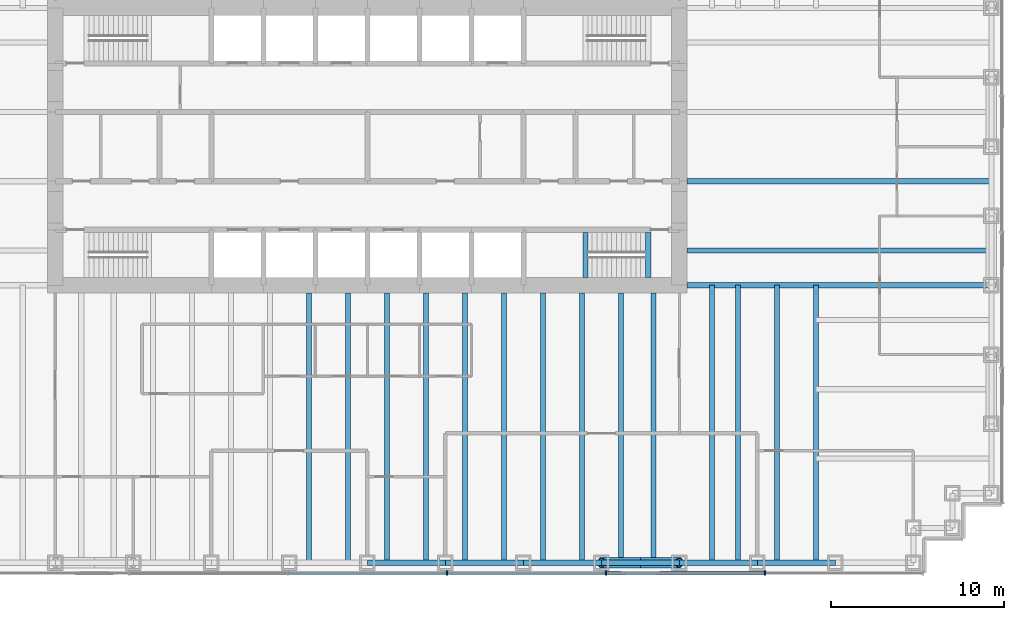
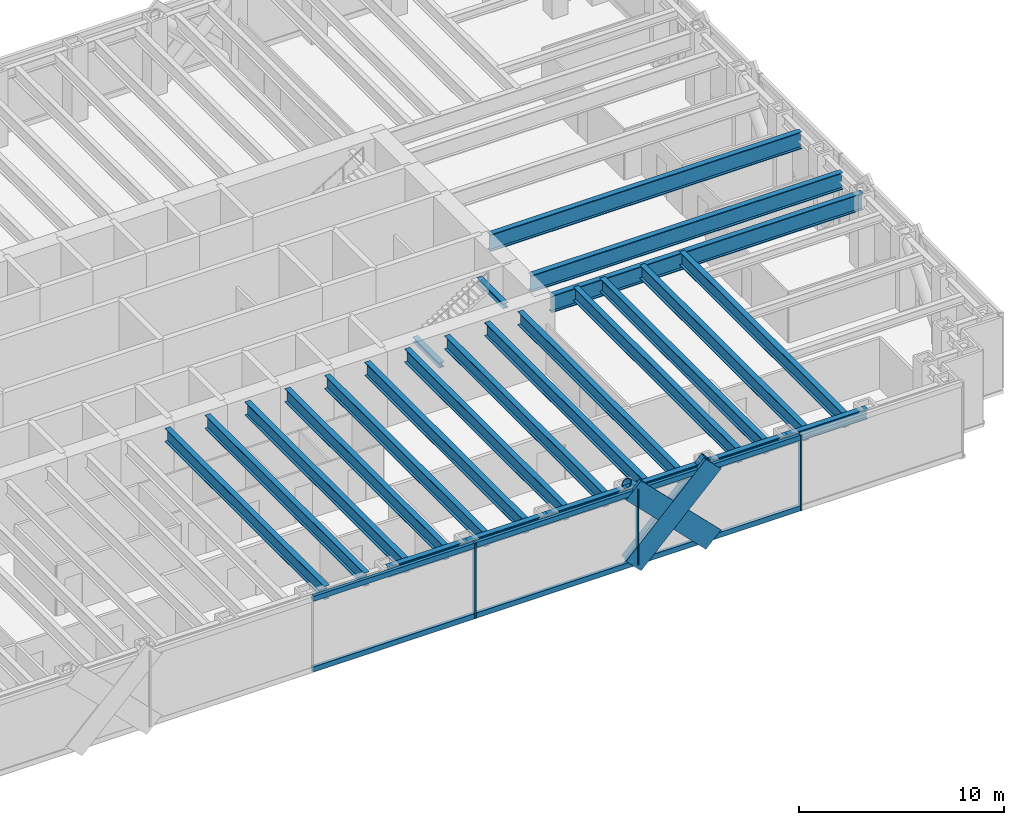
# One storey, part 3 of 13: 25 beams, 13 members, 1 element without a shape of its own.
"""IFC4 building model written with IfcOpenShell, lengths in metres."""

from ifc_helpers import new_model, si_unit, direction, frame, origin, origin_2d, place, context, subcontext, project, spatial, rectangle, hollow_circle, i_section, extrude, material, material_profile, profile_set, type_object, element, aggregate, save


model = new_model("IFC4")

# Units and contexts
model_context = context("Model", 3, precision=1e-05, world=origin(), true_north=direction((0.0, 1.0)))
body_context = subcontext(model_context, "Body", "Model", "MODEL_VIEW")
ifc_project = project(units=[si_unit("LENGTHUNIT", "METRE"), si_unit("AREAUNIT", "SQUARE_METRE"), si_unit("VOLUMEUNIT", "CUBIC_METRE"), si_unit("PLANEANGLEUNIT", "RADIAN"), si_unit("MASSUNIT", "GRAM", prefix="KILO")], contexts=[model_context])

# Site, building, storey
site_placement = place(None, origin())
site = spatial("IfcSite", under=ifc_project, at=site_placement, CompositionType="ELEMENT")
building_placement = place(site_placement, origin())
building = spatial("IfcBuilding", under=site, at=building_placement, Name="Rheinbord Bourse Tower", CompositionType="ELEMENT")
storey_placement = place(building_placement, frame((0.0, 0.0, 45.5)))
storey = spatial("IfcBuildingStorey", under=building, at=storey_placement, Name="L09", CompositionType="ELEMENT", Elevation=45.5)

# Curtain wall, members
ifc_material_1 = material(Name="Dark glass and black aluminium", Category="aluminium")
curtain_wall_type = type_object("IfcCurtainWallType", Name="CW1 DARK GLASS CURTAIN WALL", PredefinedType="USERDEFINED", material=ifc_material_1)
curtain_wall_placement = place(storey_placement, origin())
curtain_wall = element("IfcCurtainWall", 1, at=curtain_wall_placement, inside=storey, type_object=curtain_wall_type, Name="Curtain wall CW1 S L09", ObjectType="UNITISED CURTAIN WALL", PredefinedType="USERDEFINED")
ifc_material_2 = material(Name="Black anodised aluminium", Category="aluminium")
ifc_material_profile_1 = material_profile(ifc_material_2, rectangle(XDim=0.179931640625, YDim=1.2099609375, at=origin_2d()), Name="CW1 DIAGONAL MULLION 1210x180")
ifc_profile_set_1 = profile_set([ifc_material_profile_1], Name="Black anodised aluminium")
member_type_1 = type_object("IfcMemberType", Name="CW1 BLACK DIAGONAL MULLION", PredefinedType="USERDEFINED", material=ifc_profile_set_1)
member_1_placement = place(storey_placement, frame((49.5, -0.60009765625, 0.0), z_axis=(0.707106781187, 0.0, 0.707106781187), x_axis=(0.0, 1.0, 0.0)))
member_1 = element("IfcMember", 2, at=member_1_placement, type_object=member_type_1, Name="CW1 diagonal mullion a", ObjectType="DIAGONAL MULLION", PredefinedType="USERDEFINED", context=body_context, shape_type="SweptSolid", body=[
    extrude(rectangle(XDim=0.179931640625, YDim=1.2099609375, at=origin_2d()), origin(), (0.0, 0.0, 1.0), 6.364013671875),
])
member_2_placement = place(storey_placement, frame((54.0, -0.60009765625, 0.0), z_axis=(-0.707106781187, 0.0, 0.707106781187), x_axis=(0.0, -1.0, 0.0)))
member_2 = element("IfcMember", 3, at=member_2_placement, type_object=member_type_1, Name="CW1 diagonal mullion c", ObjectType="DIAGONAL MULLION", PredefinedType="USERDEFINED", context=body_context, shape_type="SweptSolid", body=[
    extrude(rectangle(XDim=0.179931640625, YDim=1.2099609375, at=origin_2d()), origin(), (0.0, 0.0, 1.0), 6.364013671875),
])
ifc_material_3 = material(Name="Black anodised aluminium", Category="aluminium")
ifc_material_profile_2 = material_profile(ifc_material_3, rectangle(XDim=0.25, YDim=0.080078125, at=origin_2d()), Name="CW1 MULLION 80x250")
ifc_profile_set_2 = profile_set([ifc_material_profile_2], Name="Black anodised aluminium")
member_type_2 = type_object("IfcMemberType", Name="CW1 BLACK MULLION", PredefinedType="MULLION", material=ifc_profile_set_2)
member_3_placement = place(storey_placement, frame((40.585693359375, -0.60009765625, 0.0), z_axis=(0.0, 0.0, 1.0), x_axis=(0.0, 1.0, 0.0)))
member_3 = element("IfcMember", 4, at=member_3_placement, type_object=member_type_2, Name="CW1 mullion 5", PredefinedType="MULLION", context=body_context, shape_type="SweptSolid", body=[
    extrude(rectangle(XDim=0.25, YDim=0.080078125, at=origin_2d()), origin(), (0.0, 0.0, 1.0), 4.5),
])
member_4_placement = place(storey_placement, frame((49.757080078125, -0.60009765625, 0.0), z_axis=(0.0, 0.0, 1.0), x_axis=(0.0, 1.0, 0.0)))
member_4 = element("IfcMember", 5, at=member_4_placement, type_object=member_type_2, Name="CW1 mullion 6", PredefinedType="MULLION", context=body_context, shape_type="SweptSolid", body=[
    extrude(rectangle(XDim=0.25, YDim=0.080078125, at=origin_2d()), origin(), (0.0, 0.0, 1.0), 4.5),
])
member_5_placement = place(storey_placement, frame((58.928466796875, -0.60009765625, 0.0), z_axis=(0.0, 0.0, 1.0), x_axis=(0.0, 1.0, 0.0)))
member_5 = element("IfcMember", 6, at=member_5_placement, type_object=member_type_2, Name="CW1 mullion 7", PredefinedType="MULLION", context=body_context, shape_type="SweptSolid", body=[
    extrude(rectangle(XDim=0.25, YDim=0.080078125, at=origin_2d()), origin(), (0.0, 0.0, 1.0), 4.5),
])
ifc_material_4 = material(Name="Black anodised aluminium", Category="aluminium")
ifc_material_profile_3 = material_profile(ifc_material_4, rectangle(XDim=0.179931640625, YDim=0.300048828125, at=origin_2d()), Name="CW1 TRANSOM 300x180")
ifc_profile_set_3 = profile_set([ifc_material_profile_3], Name="Black anodised aluminium")
member_type_3 = type_object("IfcMemberType", Name="CW1 BLACK TRANSOM", PredefinedType="USERDEFINED", material=ifc_profile_set_3)
member_6_placement = place(storey_placement, frame((31.454345703125, -0.60009765625, 0.14990234375), z_axis=(1.0, 0.0, 0.0), x_axis=(0.0, 1.0, 0.0)))
member_6 = element("IfcMember", 7, at=member_6_placement, type_object=member_type_3, Name="CW1 transom 4.1", ObjectType="TRANSOM", PredefinedType="USERDEFINED", context=body_context, shape_type="SweptSolid", body=[
    extrude(rectangle(XDim=0.179931640625, YDim=0.300048828125, at=origin_2d()), origin(), (0.0, 0.0, 1.0), 9.09130859375),
])
member_7_placement = place(storey_placement, frame((31.454345703125, -0.60009765625, 4.35009765625), z_axis=(1.0, 0.0, 0.0), x_axis=(0.0, 1.0, 0.0)))
member_7 = element("IfcMember", 8, at=member_7_placement, type_object=member_type_3, Name="CW1 transom 4.2", ObjectType="TRANSOM", PredefinedType="USERDEFINED", context=body_context, shape_type="SweptSolid", body=[
    extrude(rectangle(XDim=0.179931640625, YDim=0.300048828125, at=origin_2d()), origin(), (0.0, 0.0, 1.0), 9.09130859375),
])
member_8_placement = place(storey_placement, frame((40.625732421875, -0.60009765625, 0.14990234375), z_axis=(1.0, 0.0, 0.0), x_axis=(0.0, 1.0, 0.0)))
member_8 = element("IfcMember", 9, at=member_8_placement, type_object=member_type_3, Name="CW1 transom 5.1", ObjectType="TRANSOM", PredefinedType="USERDEFINED", context=body_context, shape_type="SweptSolid", body=[
    extrude(rectangle(XDim=0.179931640625, YDim=0.300048828125, at=origin_2d()), origin(), (0.0, 0.0, 1.0), 9.09130859375),
])
member_9_placement = place(storey_placement, frame((40.625732421875, -0.60009765625, 4.35009765625), z_axis=(1.0, 0.0, 0.0), x_axis=(0.0, 1.0, 0.0)))
member_9 = element("IfcMember", 10, at=member_9_placement, type_object=member_type_3, Name="CW1 transom 5.2", ObjectType="TRANSOM", PredefinedType="USERDEFINED", context=body_context, shape_type="SweptSolid", body=[
    extrude(rectangle(XDim=0.179931640625, YDim=0.300048828125, at=origin_2d()), origin(), (0.0, 0.0, 1.0), 9.09130859375),
])
member_10_placement = place(storey_placement, frame((49.797119140625, -0.60009765625, 0.14990234375), z_axis=(1.0, 0.0, 0.0), x_axis=(0.0, 1.0, 0.0)))
member_10 = element("IfcMember", 11, at=member_10_placement, type_object=member_type_3, Name="CW1 transom 6.1", ObjectType="TRANSOM", PredefinedType="USERDEFINED", context=body_context, shape_type="SweptSolid", body=[
    extrude(rectangle(XDim=0.179931640625, YDim=0.300048828125, at=origin_2d()), origin(), (0.0, 0.0, 1.0), 9.091552734375),
])
member_11_placement = place(storey_placement, frame((49.797119140625, -0.60009765625, 4.35009765625), z_axis=(1.0, 0.0, 0.0), x_axis=(0.0, 1.0, 0.0)))
member_11 = element("IfcMember", 12, at=member_11_placement, type_object=member_type_3, Name="CW1 transom 6.2", ObjectType="TRANSOM", PredefinedType="USERDEFINED", context=body_context, shape_type="SweptSolid", body=[
    extrude(rectangle(XDim=0.179931640625, YDim=0.300048828125, at=origin_2d()), origin(), (0.0, 0.0, 1.0), 9.091552734375),
])
aggregate(curtain_wall, [member_3, member_4, member_5, member_6, member_7, member_8, member_9, member_10, member_11, member_1, member_2])

# Beams
ifc_material_5 = material(Name="Steel S460", Category="steel")
ifc_material_profile_4 = material_profile(ifc_material_5, i_section(OverallWidth=0.302001953125, OverallDepth=1.008056640625, WebThickness=0.02099609375, FlangeThickness=0.0400390625, at=origin_2d()), Name="HEM 1000")
ifc_profile_set_4 = profile_set([ifc_material_profile_4], Name="Steel S460")
beam_type_1 = type_object("IfcBeamType", Name="END BEAM HEM 1000", PredefinedType="BEAM", material=ifc_profile_set_4)
for number, where, z_axis, x_axis, name in (
    (13, (54.449951171875, 18.0, 3.81591796875), (1.0, 0.0, 0.0), (0.0, 1.0, 0.0), "End beam east 18 L10"),
    (14, (54.449951171875, 22.0, 3.81591796875), (1.0, 0.0, 0.0), (0.0, 1.0, 0.0), "End beam east 22 L10"),
):
    element("IfcBeam", number, at=place(storey_placement, frame(where, z_axis=z_axis, x_axis=x_axis)), inside=storey, type_object=beam_type_1, Name=name, PredefinedType="BEAM", context=body_context, shape_type="SweptSolid", body=[
        extrude(i_section(OverallWidth=0.302001953125, OverallDepth=1.008056640625, WebThickness=0.02099609375, FlangeThickness=0.0400390625, at=origin_2d()), origin(), (0.0, 0.0, 1.0), 17.550048828125),
    ])
ifc_material_6 = material(Name="Steel S460", Category="steel")
ifc_material_profile_5 = material_profile(ifc_material_6, i_section(OverallWidth=0.300048828125, OverallDepth=0.800048828125, WebThickness=0.017578125, FlangeThickness=0.032958984375, at=origin_2d()), Name="HEB 800")
ifc_profile_set_5 = profile_set([ifc_material_profile_5], Name="Steel S460")
beam_type_2 = type_object("IfcBeamType", Name="FLOOR BEAM HEB 800", PredefinedType="BEAM", material=ifc_profile_set_5)
for number, where, z_axis, x_axis, name in (
    (15, (32.625, 0.0, 3.919921875), (0.0, 1.0, 0.0), (-1.0, 0.0, 0.0), "Floor beam S-31.5a L10"),
    (16, (34.875, 0.0, 3.919921875), (0.0, 1.0, 0.0), (-1.0, 0.0, 0.0), "Floor beam S-31.5b L10"),
    (17, (37.125, 0.0, 3.919921875), (0.0, 1.0, 0.0), (-1.0, 0.0, 0.0), "Floor beam S-36a L10"),
    (18, (39.375, 0.0, 3.919921875), (0.0, 1.0, 0.0), (-1.0, 0.0, 0.0), "Floor beam S-36b L10"),
    (19, (41.625, 0.0, 3.919921875), (0.0, 1.0, 0.0), (-1.0, 0.0, 0.0), "Floor beam S-40.5a L10"),
    (20, (43.875, 0.0, 3.919921875), (0.0, 1.0, 0.0), (-1.0, 0.0, 0.0), "Floor beam S-40.5b L10"),
    (21, (46.125, 0.0, 3.919921875), (0.0, 1.0, 0.0), (-1.0, 0.0, 0.0), "Floor beam S-45a L10"),
    (22, (48.375, 0.0, 3.919921875), (0.0, 1.0, 0.0), (-1.0, 0.0, 0.0), "Floor beam S-45b L10"),
    (23, (50.625, 0.0, 3.919921875), (0.0, 1.0, 0.0), (-1.0, 0.0, 0.0), "Floor beam S-49.5a L10"),
    (24, (52.5, 0.0, 3.919921875), (0.0, 1.0, 0.0), (-1.0, 0.0, 0.0), "Floor beam S-49.5b L10"),
):
    element("IfcBeam", number, at=place(storey_placement, frame(where, z_axis=z_axis, x_axis=x_axis)), inside=storey, type_object=beam_type_2, Name=name, PredefinedType="BEAM", context=body_context, shape_type="SweptSolid", body=[
        extrude(i_section(OverallWidth=0.300048828125, OverallDepth=0.800048828125, WebThickness=0.017578125, FlangeThickness=0.032958984375, at=origin_2d()), origin(), (0.0, 0.0, 1.0), 15.550048828125),
    ])
for number, where, z_axis, x_axis, name in (
    (25, (55.875, 0.0, 3.919921875), (0.0, 1.0, 0.0), (-1.0, 0.0, 0.0), "Floor beam S-54a L10"),
    (26, (57.375, 0.0, 3.919921875), (0.0, 1.0, 0.0), (-1.0, 0.0, 0.0), "Floor beam S-54b L10"),
    (27, (59.625, 0.0, 3.919921875), (0.0, 1.0, 0.0), (-1.0, 0.0, 0.0), "Floor beam S-58.5a L10"),
    (28, (61.875, 0.0, 3.919921875), (0.0, 1.0, 0.0), (-1.0, 0.0, 0.0), "Floor beam S-58.5b L10"),
):
    element("IfcBeam", number, at=place(storey_placement, frame(where, z_axis=z_axis, x_axis=x_axis)), inside=storey, type_object=beam_type_2, Name=name, PredefinedType="BEAM", context=body_context, shape_type="SweptSolid", body=[
        extrude(i_section(OverallWidth=0.300048828125, OverallDepth=0.800048828125, WebThickness=0.017578125, FlangeThickness=0.032958984375, at=origin_2d()), origin(), (0.0, 0.0, 1.0), 16.0),
    ])
ifc_material_7 = material(Name="Steel S460", Category="steel")
ifc_material_profile_6 = material_profile(ifc_material_7, i_section(OverallWidth=0.302001953125, OverallDepth=1.008056640625, WebThickness=0.02099609375, FlangeThickness=0.0400390625, at=origin_2d()), Name="HEM 1000")
ifc_profile_set_6 = profile_set([ifc_material_profile_6], Name="Steel S460")
beam_type_3 = type_object("IfcBeamType", Name="GIRDER HEM 1000", PredefinedType="BEAM", material=ifc_profile_set_6)
beam_placement = place(storey_placement, frame((54.449951171875, 16.0, 3.81591796875), z_axis=(1.0, 0.0, 0.0), x_axis=(0.0, 1.0, 0.0)))
element("IfcBeam", 29, at=beam_placement, inside=storey, type_object=beam_type_3, Name="Girder east 16 L10", PredefinedType="BEAM", context=body_context, shape_type="SweptSolid", body=[
    extrude(i_section(OverallWidth=0.302001953125, OverallDepth=1.008056640625, WebThickness=0.02099609375, FlangeThickness=0.0400390625, at=origin_2d()), origin(), (0.0, 0.0, 1.0), 17.550048828125),
])
ifc_material_8 = material(Name="Steel S460", Category="steel")
ifc_material_profile_7 = material_profile(ifc_material_8, i_section(OverallWidth=0.300048828125, OverallDepth=0.300048828125, WebThickness=0.010986328125, FlangeThickness=0.01904296875, at=origin_2d()), Name="HEB 300")
ifc_profile_set_7 = profile_set([ifc_material_profile_7], Name="Steel S460")
beam_type_4 = type_object("IfcBeamType", Name="LANDING TRIMMER HEB 300", PredefinedType="BEAM", material=ifc_profile_set_7)
for number, where, z_axis, x_axis, name in (
    (30, (48.590087890625, 16.449951171875, 1.89990234375), (0.0, 1.0, 0.0), (-1.0, 0.0, 0.0), "Landing trimmer ST3 L09"),
    (31, (52.199951171875, 16.449951171875, 4.169921875), (0.0, 1.0, 0.0), (-1.0, 0.0, 0.0), "Well trimmer ST3 under L10"),
):
    element("IfcBeam", number, at=place(storey_placement, frame(where, z_axis=z_axis, x_axis=x_axis)), inside=storey, type_object=beam_type_4, Name=name, PredefinedType="BEAM", context=body_context, shape_type="SweptSolid", body=[
        extrude(i_section(OverallWidth=0.300048828125, OverallDepth=0.300048828125, WebThickness=0.010986328125, FlangeThickness=0.01904296875, at=origin_2d()), origin(), (0.0, 0.0, 1.0), 2.60009765625),
    ])

# Members
ifc_material_9 = material(Name="Steel S460", Category="steel")
ifc_material_profile_8 = material_profile(ifc_material_9, hollow_circle(Radius=0.304931640625, WallThickness=0.050048828125, at=origin_2d()), Name="CHS 610x50")
ifc_profile_set_8 = profile_set([ifc_material_profile_8], Name="Steel S460")
member_type_4 = type_object("IfcMemberType", Name="MEGABRACE CHS 610x50", PredefinedType="BRACE", material=ifc_profile_set_8)
for number, where, z_axis, x_axis, name in (
    (32, (49.5, 0.0, 0.0), (0.707106781187, 0.0, 0.707106781187), (0.0, 1.0, 0.0), "Megabrace S face line a L09"),
    (33, (54.0, 0.0, 0.0), (-0.707106781187, 0.0, 0.707106781187), (0.0, -1.0, 0.0), "Megabrace S face line c L09"),
):
    element("IfcMember", number, at=place(storey_placement, frame(where, z_axis=z_axis, x_axis=x_axis)), inside=storey, type_object=member_type_4, Name=name, PredefinedType="BRACE", context=body_context, shape_type="SweptSolid", body=[
        extrude(hollow_circle(Radius=0.304931640625, WallThickness=0.050048828125, at=origin_2d()), origin(), (0.0, 0.0, 1.0), 6.364013671875),
    ])

# Beams
ifc_material_10 = material(Name="Steel S460", Category="steel")
ifc_material_profile_9 = material_profile(ifc_material_10, i_section(OverallWidth=0.304931640625, OverallDepth=0.6201171875, WebThickness=0.02099609375, FlangeThickness=0.0400390625, at=origin_2d()), Name="HEM 600")
ifc_profile_set_9 = profile_set([ifc_material_profile_9], Name="Steel S460")
beam_type_5 = type_object("IfcBeamType", Name="SPANDREL HEM 600", PredefinedType="SPANDREL", material=ifc_profile_set_9)
for number, where, z_axis, x_axis, name in (
    (34, (36.0, 0.0, 4.010009765625), (1.0, 0.0, 0.0), (0.0, 1.0, 0.0), "Spandrel S-36-S-40.5 under L10"),
    (35, (40.5, 0.0, 4.010009765625), (1.0, 0.0, 0.0), (0.0, 1.0, 0.0), "Spandrel S-40.5-S-45 under L10"),
    (36, (45.0, 0.0, 4.010009765625), (1.0, 0.0, 0.0), (0.0, 1.0, 0.0), "Spandrel S-45-S-49.5 under L10"),
    (37, (49.5, 0.0, 4.010009765625), (1.0, 0.0, 0.0), (0.0, 1.0, 0.0), "Spandrel S-49.5-S-54 under L10"),
    (38, (54.0, 0.0, 4.010009765625), (1.0, 0.0, 0.0), (0.0, 1.0, 0.0), "Spandrel S-54-S-58.5 under L10"),
    (39, (58.5, 0.0, 4.010009765625), (1.0, 0.0, 0.0), (0.0, 1.0, 0.0), "Spandrel S-58.5-S-63 under L10"),
):
    element("IfcBeam", number, at=place(storey_placement, frame(where, z_axis=z_axis, x_axis=x_axis)), inside=storey, type_object=beam_type_5, Name=name, PredefinedType="SPANDREL", context=body_context, shape_type="SweptSolid", body=[
        extrude(i_section(OverallWidth=0.304931640625, OverallDepth=0.6201171875, WebThickness=0.02099609375, FlangeThickness=0.0400390625, at=origin_2d()), origin(), (0.0, 0.0, 1.0), 4.5),
    ])

save(model, "model.ifc")
